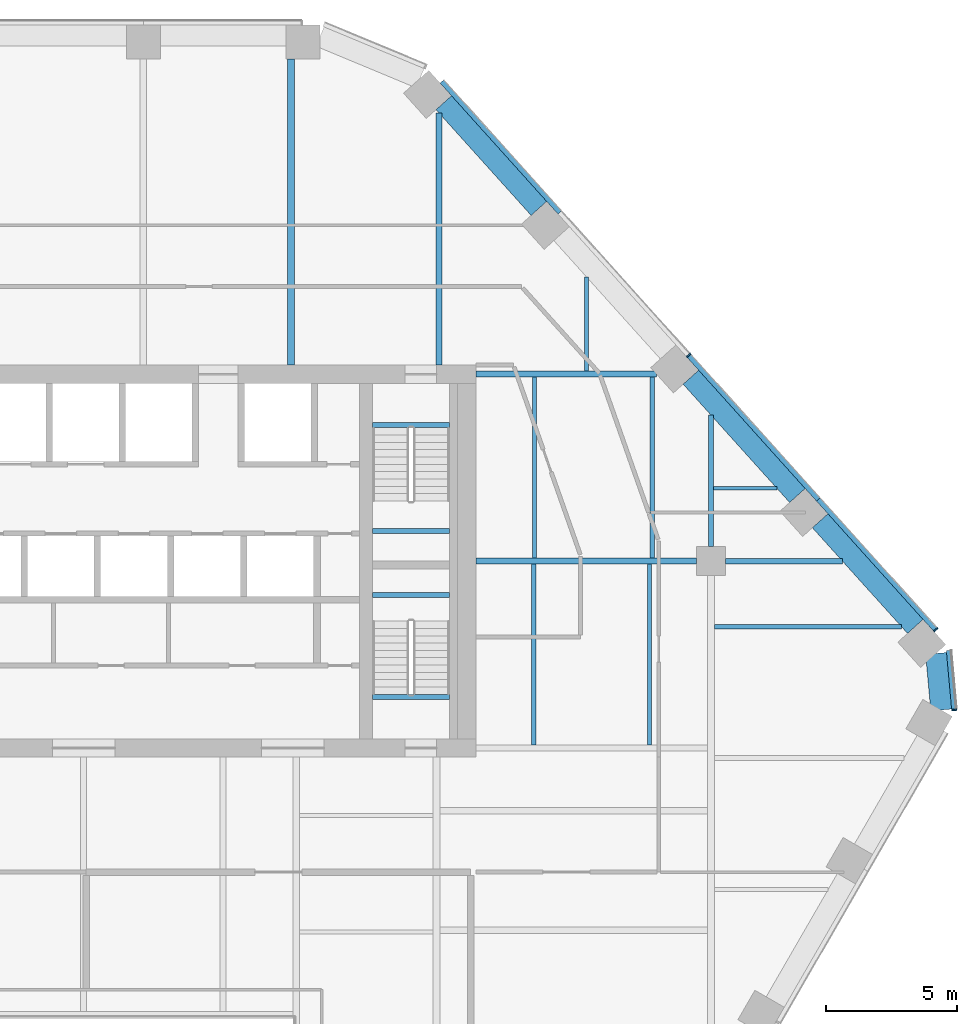
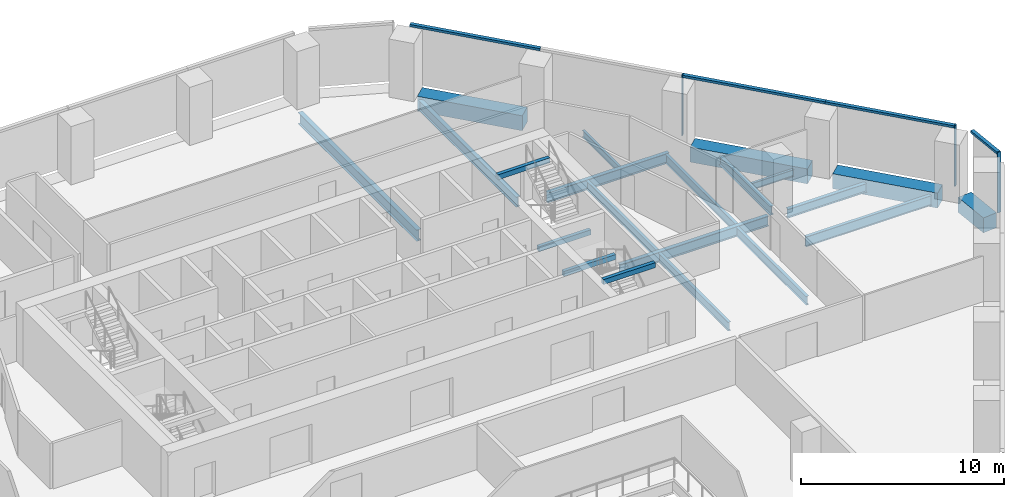
# One storey, part 8 of 16: 21 beams, 7 members, 2 elements without a shape of their own.
"""IFC4 building model written with IfcOpenShell, lengths in metres."""

import ifcopenshell
import ifcopenshell.guid

model = None  # the IFC model being written
_history = None  # IfcOwnerHistory: only IFC2X3 demands one
_inside = {}  # id of a spatial element -> (the spatial element, [elements in it])
_under = {}  # id of a project, library or spatial element -> (it, [spatial elements below it])
_declared = {}  # id of a project -> (the project, [libraries it declares])
_typed = {}  # id of a type object -> (the type object, [elements of that type])
_made_of = {}  # id of a material, layer set ... -> (it, [elements and type objects made of it])


def new_model(schema):
    """Start an empty IFC model of exactly this schema.

    Asked for "IFC4X3", IfcOpenShell would pick the latest addendum, in which some entities
    have other attributes; the version numbers below select the first issue.
    IFC2X3 requires an IfcOwnerHistory on every rooted entity: one is made here for all.
    """
    global model, _history
    if schema == "IFC4X3":
        model = ifcopenshell.file(schema_version=(4, 3, 0, 0))
    else:
        model = ifcopenshell.file(schema=schema)
    _inside.clear()
    _under.clear()
    _declared.clear()
    _typed.clear()
    _made_of.clear()
    _history = None
    if model.schema == "IFC2X3":
        org = make("IfcOrganization", Name="unknown")
        user = make(
            "IfcPersonAndOrganization",
            ThePerson=make("IfcPerson", FamilyName="unknown"),
            TheOrganization=org,
        )
        app = make(
            "IfcApplication",
            ApplicationDeveloper=org,
            Version="unknown",
            ApplicationFullName="unknown",
            ApplicationIdentifier="unknown",
        )
        _history = make(
            "IfcOwnerHistory",
            OwningUser=user,
            OwningApplication=app,
            ChangeAction="ADDED",
            CreationDate=0,
        )
    return model


def make(cls, **values):
    """One entity of the class cls with the attributes given. An attribute that is None is left unset."""
    return model.create_entity(
        cls, **{name: value for name, value in values.items() if value is not None}
    )


def rooted(cls, **values):
    """An entity with a GlobalId (a new one), such as an element, a storey or a relation."""
    return make(cls, GlobalId=ifcopenshell.guid.new(), OwnerHistory=_history, **values)


def si_unit(unit_type, name, prefix=None):
    """IfcSIUnit, for example si_unit("LENGTHUNIT", "METRE", prefix="MILLI")."""
    return make("IfcSIUnit", UnitType=unit_type, Prefix=prefix, Name=name)


def assignment(units):
    """IfcUnitAssignment: the units of a project."""
    return None if units is None else make("IfcUnitAssignment", Units=units)


def point(xyz):
    """IfcCartesianPoint."""
    return None if xyz is None else make("IfcCartesianPoint", Coordinates=xyz)


def direction(xyz):
    """IfcDirection."""
    return None if xyz is None else make("IfcDirection", DirectionRatios=xyz)


def frame(location, z_axis=None, x_axis=None):
    """IfcAxis2Placement3D, a coordinate frame: its origin and axes. An axis left out is left unset."""
    return make(
        "IfcAxis2Placement3D",
        Location=point(location),
        Axis=direction(z_axis),
        RefDirection=direction(x_axis),
    )


def frame_2d(location, x_axis=None):
    """IfcAxis2Placement2D, a coordinate frame in the plane: its origin and x axis."""
    return make(
        "IfcAxis2Placement2D", Location=point(location), RefDirection=direction(x_axis)
    )


def origin():
    """The frame at (0, 0, 0) with its axes left unset."""
    return frame((0.0, 0.0, 0.0))


def origin_2d():
    """The frame at (0, 0) in the plane with its x axis left unset."""
    return frame_2d((0.0, 0.0))


def place(relative_to, where):
    """IfcLocalPlacement: puts the frame where relative to a parent placement (None: the world)."""
    return make(
        "IfcLocalPlacement", PlacementRelTo=relative_to, RelativePlacement=where
    )


def context(
    kind, dimensions, precision=None, world=None, true_north=None, identifier=None
):
    """IfcGeometricRepresentationContext, for example the 3D "Model" context."""
    return make(
        "IfcGeometricRepresentationContext",
        ContextIdentifier=identifier,
        ContextType=kind,
        CoordinateSpaceDimension=dimensions,
        Precision=precision,
        WorldCoordinateSystem=world,
        TrueNorth=true_north,
    )


def subcontext(parent, identifier, kind, view, scale=None):
    """IfcGeometricRepresentationSubContext, for example "Body" below "Model"."""
    return make(
        "IfcGeometricRepresentationSubContext",
        ContextIdentifier=identifier,
        ContextType=kind,
        ParentContext=parent,
        TargetScale=scale,
        TargetView=view,
    )


def project(units=None, contexts=None):
    """IfcProject with its units and contexts."""
    return rooted(
        "IfcProject",
        Name="project",
        RepresentationContexts=contexts,
        UnitsInContext=assignment(units),
    )


def spatial(cls, under=None, at=None, **own):
    """A site, building, storey or space (cls), placed at a placement, below another one or the project."""
    s = rooted(cls, ObjectPlacement=at, **own)
    if under is not None:
        _under.setdefault(under.id(), (under, []))[1].append(s)
    return s


def profile(cls, at=None, kind="AREA", **sizes):
    """A parametric profile (cls). Its sizes go by their IFC names, for example OverallWidth=200.0."""
    return make(cls, ProfileType=kind, Position=at, **sizes)


def rectangle(**sizes):
    """IfcRectangleProfileDef."""
    return profile("IfcRectangleProfileDef", **sizes)


def i_section(**sizes):
    """IfcIShapeProfileDef."""
    return profile("IfcIShapeProfileDef", **sizes)


def extrude(swept, where, along, depth):
    """IfcExtrudedAreaSolid: the profile swept, set in the frame where, extruded along a direction by depth."""
    return make(
        "IfcExtrudedAreaSolid",
        SweptArea=swept,
        Position=where,
        ExtrudedDirection=direction(along),
        Depth=depth,
    )


def shape(context_of_items, identifier, shape_type, items):
    """IfcShapeRepresentation: the items that make up one representation, for example the "Body"."""
    return make(
        "IfcShapeRepresentation",
        ContextOfItems=context_of_items,
        RepresentationIdentifier=identifier,
        RepresentationType=shape_type,
        Items=items,
    )


def material(Name=None, Category=None):
    """IfcMaterial."""
    return make("IfcMaterial", Name=Name, Category=Category)


def layer(
    of_material, thickness, ventilated=None, Name=None, Category=None, Priority=None
):
    """IfcMaterialLayer: one layer of a wall or slab, of a material (None: an air gap)."""
    return make(
        "IfcMaterialLayer",
        Material=of_material,
        LayerThickness=thickness,
        IsVentilated=ventilated,
        Name=Name,
        Category=Category,
        Priority=Priority,
    )


def layer_set(layers, Name=None):
    """IfcMaterialLayerSet."""
    return make("IfcMaterialLayerSet", MaterialLayers=layers, LayerSetName=Name)


def material_profile(
    of_material, cross_section, Name=None, Category=None, Priority=None
):
    """IfcMaterialProfile: a cross section and its material."""
    return make(
        "IfcMaterialProfile",
        Name=Name,
        Material=of_material,
        Profile=cross_section,
        Priority=Priority,
        Category=Category,
    )


def profile_set(profiles, Name=None, composite=None):
    """IfcMaterialProfileSet."""
    return make(
        "IfcMaterialProfileSet",
        Name=Name,
        MaterialProfiles=profiles,
        CompositeProfile=composite,
    )


def made_of(thing, what):
    """Note that an element or type object is made of a material, layer set ...; save() writes the relation."""
    if what is not None:
        _made_of.setdefault(what.id(), (what, []))[1].append(thing)
    return thing


def type_object(cls, material=None, **own):
    """A type object (cls), such as IfcWallType, which elements share."""
    return made_of(rooted(cls, **own), material)


def element(
    cls,
    number,
    at=None,
    inside=None,
    cuts=None,
    type_object=None,
    material=None,
    context=None,
    identifier="Body",
    shape_type=None,
    held_by="IfcProductDefinitionShape",
    body=None,
    shapes=None,
    **own,
):
    """One element of the class cls, such as IfcWall. Its Tag is "e" and its number.

    at: its placement. inside: the storey or other place that contains it. cuts: it is an
    opening in that element (IfcRelVoidsElement). A single representation is given by context,
    identifier, shape_type and body (its items); several are given by shapes. held_by: the class
    of the entity that holds the representations. save() writes the other relations.
    """
    e = rooted(cls, Tag="e%d" % number, ObjectPlacement=at, **own)
    if body is not None:
        shapes = [shape(context, identifier, shape_type, body)]
    if shapes is not None:
        e.Representation = make(held_by, Representations=shapes)
    if inside is not None:
        _inside.setdefault(inside.id(), (inside, []))[1].append(e)
    if cuts is not None:
        rooted(
            "IfcRelVoidsElement", RelatingBuildingElement=cuts, RelatedOpeningElement=e
        )
    if type_object is not None:
        _typed.setdefault(type_object.id(), (type_object, []))[1].append(e)
    return made_of(e, material)


def aggregate(whole, parts):
    """IfcRelAggregates: a whole, such as a stair, and the parts it consists of."""
    return rooted("IfcRelAggregates", RelatingObject=whole, RelatedObjects=parts)


def save(model, path):
    """Write the relations noted so far, then the file.

    IfcRelAggregates (storeys below a building ...), IfcRelContainedInSpatialStructure (elements
    in a storey), IfcRelDefinesByType, IfcRelAssociatesMaterial and IfcRelDeclares: one each for
    every whole, place, type object, material and project.
    """
    for whole, parts in _under.values():
        aggregate(whole, parts)
    for where, things in _inside.values():
        rooted(
            "IfcRelContainedInSpatialStructure",
            RelatedElements=things,
            RelatingStructure=where,
        )
    for kind, things in _typed.values():
        rooted("IfcRelDefinesByType", RelatedObjects=things, RelatingType=kind)
    for what, things in _made_of.values():
        rooted("IfcRelAssociatesMaterial", RelatedObjects=things, RelatingMaterial=what)
    for by, libraries in _declared.values():
        rooted("IfcRelDeclares", RelatingContext=by, RelatedDefinitions=libraries)
    model.write(path)


model = new_model("IFC4")

# Units and contexts
model_context = context("Model", 3, precision=1e-05, world=origin(), true_north=direction((0.0, 1.0)))
body_context = subcontext(model_context, "Body", "Model", "MODEL_VIEW")
ifc_project = project(units=[si_unit("LENGTHUNIT", "METRE"), si_unit("AREAUNIT", "SQUARE_METRE"), si_unit("VOLUMEUNIT", "CUBIC_METRE"), si_unit("PLANEANGLEUNIT", "RADIAN"), si_unit("MASSUNIT", "GRAM", prefix="KILO")], contexts=[model_context])

# Site, building, storey
site_placement = place(None, origin())
site = spatial("IfcSite", under=ifc_project, at=site_placement, CompositionType="ELEMENT")
building_placement = place(site_placement, origin())
building = spatial("IfcBuilding", under=site, at=building_placement, Name="Isthmus Gate Tower", CompositionType="ELEMENT")
storey_placement = place(building_placement, frame((0.0, 0.0, 185.39990234375)))
storey = spatial("IfcBuildingStorey", under=building, at=storey_placement, Name="L46", CompositionType="ELEMENT", Elevation=185.39990234375)

# Curtain wall, member
ifc_material_1 = material(Name="Aluminium, pale champagne anodised", Category="aluminium")
ifc_layer = layer(ifc_material_1, 0.199951171875)
ifc_layer_set = layer_set([ifc_layer], Name="CW-1 UNITISED CURTAIN WALL 200 DEEP")
curtain_wall_type = type_object("IfcCurtainWallType", Name="CW-1 UNITISED CURTAIN WALL 200 DEEP", PredefinedType="NOTDEFINED", material=ifc_layer_set)
curtain_wall_1_placement = place(storey_placement, origin())
curtain_wall_1 = element("IfcCurtainWall", 1, at=curtain_wall_1_placement, inside=storey, type_object=curtain_wall_type, Name="CW-1 SE-NE L46", PredefinedType="NOTDEFINED")
ifc_material_2 = material(Name="Aluminium, pale champagne anodised", Category="aluminium")
ifc_material_profile_1 = material_profile(ifc_material_2, rectangle(XDim=0.06005859375, YDim=0.199951171875, at=origin_2d()), Name="60x200")
ifc_profile_set_1 = profile_set([ifc_material_profile_1], Name="Aluminium, pale champagne anodised")
member_type_1 = type_object("IfcMemberType", Name="CW-1 MULLION 60 X 200", PredefinedType="MULLION", material=ifc_profile_set_1)
member_1_placement = place(storey_placement, frame((33.307861328125, 1.804443359375, 0.0), z_axis=(0.0, 0.0, 1.0), x_axis=(-0.089396669717, 0.995996102123, 0.0)))
member_1 = element("IfcMember", 2, at=member_1_placement, type_object=member_type_1, Name="CW-1 mullion", PredefinedType="MULLION", context=body_context, shape_type="SweptSolid", body=[
    extrude(rectangle(XDim=0.06005859375, YDim=0.199951171875, at=origin_2d()), origin(), (0.0, 0.0, 1.0), 3.650146484375),
])

# Curtain wall, members
curtain_wall_2_placement = place(storey_placement, origin())
curtain_wall_2 = element("IfcCurtainWall", 3, at=curtain_wall_2_placement, inside=storey, type_object=curtain_wall_type, Name="CW-1 NE L46", PredefinedType="NOTDEFINED")
member_2_placement = place(storey_placement, frame((32.602783203125, 4.871337890625, 0.0), z_axis=(0.0, 0.0, 1.0), x_axis=(-0.669130606359, 0.743144825477, 0.0)))
member_2 = element("IfcMember", 4, at=member_2_placement, type_object=member_type_1, Name="CW-1 mullion", PredefinedType="MULLION", context=body_context, shape_type="SweptSolid", body=[
    extrude(rectangle(XDim=0.06005859375, YDim=0.199951171875, at=origin_2d()), origin(), (0.0, 0.0, 1.0), 3.650146484375),
])
member_3_placement = place(storey_placement, frame((23.14697265625, 15.373046875, 0.0), z_axis=(0.0, 0.0, 1.0), x_axis=(-0.669130606359, 0.743144825477, 0.0)))
member_3 = element("IfcMember", 5, at=member_3_placement, type_object=member_type_1, Name="CW-1 mullion", PredefinedType="MULLION", context=body_context, shape_type="SweptSolid", body=[
    extrude(rectangle(XDim=0.06005859375, YDim=0.199951171875, at=origin_2d()), origin(), (0.0, 0.0, 1.0), 3.650146484375),
])

# Member
ifc_material_3 = material(Name="Aluminium, pale champagne anodised", Category="aluminium")
ifc_material_profile_2 = material_profile(ifc_material_3, rectangle(XDim=0.199951171875, YDim=0.139892578125, at=origin_2d()), Name="200x140")
ifc_profile_set_2 = profile_set([ifc_material_profile_2], Name="Aluminium, pale champagne anodised")
member_type_2 = type_object("IfcMemberType", Name="CW-1 TRANSOM 200 X 140", PredefinedType="USERDEFINED", material=ifc_profile_set_2)
member_4_placement = place(storey_placement, frame((33.30517578125, 1.83447265625, 3.580078125), z_axis=(-0.089395362867, 0.995996219419, 0.0), x_axis=(-0.995996219419, -0.089395362867, 0.0)))
member_4 = element("IfcMember", 6, at=member_4_placement, type_object=member_type_2, Name="CW-1 transom", ObjectType="TRANSOM", PredefinedType="USERDEFINED", context=body_context, shape_type="SweptSolid", body=[
    extrude(rectangle(XDim=0.199951171875, YDim=0.139892578125, at=origin_2d()), origin(), (0.0, 0.0, 1.0), 2.258544921875),
])

aggregate(curtain_wall_1, [member_1, member_4])

member_5_placement = place(storey_placement, frame((32.582763671875, 4.8935546875, 3.580078125), z_axis=(-0.669138342957, 0.74313785934, 0.0), x_axis=(-0.74313785934, -0.669138342957, 0.0)))
member_5 = element("IfcMember", 7, at=member_5_placement, type_object=member_type_2, Name="CW-1 transom", ObjectType="TRANSOM", PredefinedType="USERDEFINED", context=body_context, shape_type="SweptSolid", body=[
    extrude(rectangle(XDim=0.199951171875, YDim=0.139892578125, at=origin_2d()), origin(), (0.0, 0.0, 1.0), 6.680908203125),
])

member_6_placement = place(storey_placement, frame((28.1123046875, 9.8583984375, 3.580078125), z_axis=(-0.669123495435, 0.74315122812, 0.0), x_axis=(-0.74315122812, -0.669123495435, 0.0)))
member_6 = element("IfcMember", 8, at=member_6_placement, type_object=member_type_2, Name="CW-1 transom", ObjectType="TRANSOM", PredefinedType="USERDEFINED", context=body_context, shape_type="SweptSolid", body=[
    extrude(rectangle(XDim=0.199951171875, YDim=0.139892578125, at=origin_2d()), origin(), (0.0, 0.0, 1.0), 7.390625),
])

member_7_placement = place(storey_placement, frame((18.221435546875, 20.84326171875, 3.580078125), z_axis=(-0.669102791064, 0.743169869538, 0.0), x_axis=(-0.743169869538, -0.669102791064, 0.0)))
member_7 = element("IfcMember", 9, at=member_7_placement, type_object=member_type_2, Name="CW-1 transom", ObjectType="TRANSOM", PredefinedType="USERDEFINED", context=body_context, shape_type="SweptSolid", body=[
    extrude(rectangle(XDim=0.199951171875, YDim=0.139892578125, at=origin_2d()), origin(), (0.0, 0.0, 1.0), 6.74072265625),
])

aggregate(curtain_wall_2, [member_2, member_5, member_6, member_3, member_7])

# Beams
ifc_material_4 = material(Name="Concrete f'c 60 MPa", Category="concrete")
ifc_material_profile_3 = material_profile(ifc_material_4, rectangle(XDim=0.800048828125, YDim=0.89990234375, at=origin_2d()), Name="RC 800X900")
ifc_profile_set_3 = profile_set([ifc_material_profile_3], Name="Concrete f'c 60 MPa")
beam_type_1 = type_object("IfcBeamType", Name="RC SPANDREL 800 X 900", PredefinedType="SPANDREL", material=ifc_profile_set_3)
beam_1_placement = place(storey_placement, frame((13.7744140625, 25.03515625, -0.449951171875), z_axis=(0.669118419563, -0.743155798337, 0.0), x_axis=(0.743155798337, 0.669118419563, 0.0)))
element("IfcBeam", 10, at=beam_1_placement, inside=storey, type_object=beam_type_1, Name="str-spandrel-L46-01", PredefinedType="SPANDREL", context=body_context, shape_type="SweptSolid", body=[
    extrude(rectangle(XDim=0.800048828125, YDim=0.89990234375, at=origin_2d()), origin(), (0.0, 0.0, 1.0), 5.44091796875),
])
beam_2_placement = place(storey_placement, frame((23.230224609375, 14.533203125, -0.449951171875), z_axis=(0.669141874065, -0.743134679835, 0.0), x_axis=(0.743134679835, 0.669141874065, 0.0)))
element("IfcBeam", 11, at=beam_2_placement, inside=storey, type_object=beam_type_1, Name="str-spandrel-L46-03", PredefinedType="SPANDREL", context=body_context, shape_type="SweptSolid", body=[
    extrude(rectangle(XDim=0.800048828125, YDim=0.89990234375, at=origin_2d()), origin(), (0.0, 0.0, 1.0), 6.0908203125),
])
beam_3_placement = place(storey_placement, frame((28.17578125, 9.040771484375, -0.449951171875), z_axis=(0.669140732593, -0.74313570765, 0.0), x_axis=(0.74313570765, 0.669140732593, 0.0)))
element("IfcBeam", 12, at=beam_3_placement, inside=storey, type_object=beam_type_1, Name="str-spandrel-L46-04", PredefinedType="SPANDREL", context=body_context, shape_type="SweptSolid", body=[
    extrude(rectangle(XDim=0.800048828125, YDim=0.89990234375, at=origin_2d()), origin(), (0.0, 0.0, 1.0), 5.440673828125),
])
beam_4_placement = place(storey_placement, frame((32.61181640625, 3.964599609375, -0.449951171875), z_axis=(0.089421511639, -0.995993872098, 0.0), x_axis=(0.995993872098, 0.089421511639, 0.0)))
element("IfcBeam", 13, at=beam_4_placement, inside=storey, type_object=beam_type_1, Name="str-spandrel-L46-05", PredefinedType="SPANDREL", context=body_context, shape_type="SweptSolid", body=[
    extrude(rectangle(XDim=0.800048828125, YDim=0.89990234375, at=origin_2d()), origin(), (0.0, 0.0, 1.0), 2.17333984375),
])
ifc_material_5 = material(Name="Concrete f'c 40 MPa", Category="concrete")
ifc_material_profile_4 = material_profile(ifc_material_5, rectangle(XDim=0.199951171875, YDim=0.300048828125, at=origin_2d()), Name="STAIR LANDING BEAM RC 200 X 300")
ifc_profile_set_4 = profile_set([ifc_material_profile_4], Name="Concrete f'c 40 MPa")
beam_type_2 = type_object("IfcBeamType", Name="STAIR LANDING BEAM RC 200 X 300", PredefinedType="BEAM", material=ifc_profile_set_4)
for number, where, z_axis, x_axis, name in (
    (14, (11.050048828125, 8.64990234375, 1.47509765625), (1.0, 0.0, 0.0), (0.0, 1.0, 0.0), "L46 ST2 landing beam 1"),
    (15, (11.050048828125, 12.7001953125, 3.35009765625), (1.0, 0.0, 0.0), (0.0, 1.0, 0.0), "L46 ST2 floor-edge seat beam"),
    (16, (11.050048828125, 6.199951171875, 1.47509765625), (1.0, 0.0, 0.0), (0.0, 1.0, 0.0), "L46 ST8 landing beam 1"),
    (17, (11.050048828125, 2.2998046875, 3.35009765625), (1.0, 0.0, 0.0), (0.0, 1.0, 0.0), "L46 ST8 floor-edge seat beam"),
):
    element("IfcBeam", number, at=place(storey_placement, frame(where, z_axis=z_axis, x_axis=x_axis)), inside=storey, type_object=beam_type_2, Name=name, PredefinedType="BEAM", context=body_context, shape_type="SweptSolid", body=[
        extrude(rectangle(XDim=0.199951171875, YDim=0.300048828125, at=origin_2d()), origin(), (0.0, 0.0, 1.0), 2.949951171875),
    ])
ifc_material_6 = material(Name="Structural steel ASTM A992 Gr 50", Category="steel")
ifc_material_profile_5 = material_profile(ifc_material_6, i_section(OverallWidth=0.1396484375, OverallDepth=0.4033203125, WebThickness=0.00634765625, FlangeThickness=0.010986328125, at=origin_2d()), Name="W16X31")
ifc_profile_set_5 = profile_set([ifc_material_profile_5], Name="Structural steel ASTM A992 Gr 50")
beam_type_3 = type_object("IfcBeamType", Name="STEEL FLOOR BEAM W16X31", PredefinedType="JOIST", material=ifc_profile_set_5)
beam_5_placement = place(storey_placement, frame((19.23681640625, 14.764404296875, -0.3515625), z_axis=(0.0, 1.0, 0.0), x_axis=(-1.0, 0.0, 0.0)))
element("IfcBeam", 18, at=beam_5_placement, inside=storey, type_object=beam_type_3, Name="str-beam-L46-05-07", PredefinedType="JOIST", context=body_context, shape_type="SweptSolid", body=[
    extrude(i_section(OverallWidth=0.1396484375, OverallDepth=0.4033203125, WebThickness=0.00634765625, FlangeThickness=0.010986328125, at=origin_2d()), origin(), (0.0, 0.0, 1.0), 3.6064453125),
])
beam_6_placement = place(storey_placement, frame((24.104736328125, 10.284423828125, -0.3515625), z_axis=(1.0, 0.0, 0.0), x_axis=(0.0, 1.0, 0.0)))
element("IfcBeam", 19, at=beam_6_placement, inside=storey, type_object=beam_type_3, Name="str-beam-L46-15-00", PredefinedType="JOIST", context=body_context, shape_type="SweptSolid", body=[
    extrude(i_section(OverallWidth=0.1396484375, OverallDepth=0.4033203125, WebThickness=0.00634765625, FlangeThickness=0.010986328125, at=origin_2d()), origin(), (0.0, 0.0, 1.0), 2.412841796875),
])
ifc_material_7 = material(Name="Structural steel ASTM A992 Gr 50", Category="steel")
ifc_material_profile_6 = material_profile(ifc_material_7, i_section(OverallWidth=0.1650390625, OverallDepth=0.52392578125, WebThickness=0.009521484375, FlangeThickness=0.010986328125, at=origin_2d()), Name="W21X44")
ifc_profile_set_6 = profile_set([ifc_material_profile_6], Name="Structural steel ASTM A992 Gr 50")
beam_type_4 = type_object("IfcBeamType", Name="STEEL FLOOR BEAM W21X44", PredefinedType="JOIST", material=ifc_profile_set_6)
for number, where, z_axis, x_axis, name in (
    (20, (17.25, 7.6142578125, -0.411865234375), (0.0, 1.0, 0.0), (-1.0, 0.0, 0.0), "str-beam-L46-13-00"),
    (21, (21.75, 7.6142578125, -0.411865234375), (0.0, 1.0, 0.0), (-1.0, 0.0, 0.0), "str-beam-L46-13-01"),
    (22, (17.216552734375, 0.46435546875, -0.411865234375), (0.0, 1.0, 0.0), (-1.0, 0.0, 0.0), "str-beam-L46-14-00"),
    (23, (21.64990234375, 0.46435546875, -0.411865234375), (0.0, 1.0, 0.0), (-1.0, 0.0, 0.0), "str-beam-L46-14-01"),
):
    element("IfcBeam", number, at=place(storey_placement, frame(where, z_axis=z_axis, x_axis=x_axis)), inside=storey, type_object=beam_type_4, Name=name, PredefinedType="JOIST", context=body_context, shape_type="SweptSolid", body=[
        extrude(i_section(OverallWidth=0.1650390625, OverallDepth=0.52392578125, WebThickness=0.009521484375, FlangeThickness=0.010986328125, at=origin_2d()), origin(), (0.0, 0.0, 1.0), 6.92138671875),
    ])
ifc_material_8 = material(Name="Structural steel ASTM A992 Gr 50", Category="steel")
ifc_material_profile_7 = material_profile(ifc_material_8, i_section(OverallWidth=0.177734375, OverallDepth=0.60009765625, WebThickness=0.009521484375, FlangeThickness=0.0126953125, at=origin_2d()), Name="W24X55")
ifc_profile_set_7 = profile_set([ifc_material_profile_7], Name="Structural steel ASTM A992 Gr 50")
beam_type_5 = type_object("IfcBeamType", Name="STEEL FLOOR BEAM W24X55", PredefinedType="JOIST", material=ifc_profile_set_7)
beam_7_placement = place(storey_placement, frame((24.13330078125, 4.987548828125, -0.449951171875), z_axis=(1.0, 0.0, 0.0), x_axis=(0.0, 1.0, 0.0)))
element("IfcBeam", 24, at=beam_7_placement, inside=storey, type_object=beam_type_5, Name="str-beam-L46-16-02", PredefinedType="JOIST", context=body_context, shape_type="SweptSolid", body=[
    extrude(i_section(OverallWidth=0.177734375, OverallDepth=0.60009765625, WebThickness=0.009521484375, FlangeThickness=0.0126953125, at=origin_2d()), origin(), (0.0, 0.0, 1.0), 7.15380859375),
])
ifc_material_9 = material(Name="Structural steel ASTM A992 Gr 50", Category="steel")
ifc_material_profile_8 = material_profile(ifc_material_9, i_section(OverallWidth=0.228515625, OverallDepth=0.603271484375, WebThickness=0.010986328125, FlangeThickness=0.014404296875, at=origin_2d()), Name="W24X68")
ifc_profile_set_8 = profile_set([ifc_material_profile_8], Name="Structural steel ASTM A992 Gr 50")
beam_type_6 = type_object("IfcBeamType", Name="STEEL FLOOR BEAM W24X68", PredefinedType="JOIST", material=ifc_profile_set_8)
beam_8_placement = place(storey_placement, frame((13.583984375, 15.0, -0.451416015625), z_axis=(0.0, 1.0, 0.0), x_axis=(-1.0, 0.0, 0.0)))
element("IfcBeam", 25, at=beam_8_placement, inside=storey, type_object=beam_type_6, Name="str-beam-L46-05-06", PredefinedType="JOIST", context=body_context, shape_type="SweptSolid", body=[
    extrude(i_section(OverallWidth=0.228515625, OverallDepth=0.603271484375, WebThickness=0.010986328125, FlangeThickness=0.014404296875, at=origin_2d()), origin(), (0.0, 0.0, 1.0), 9.648681640625),
])
ifc_material_10 = material(Name="Structural steel ASTM A992 Gr 50", Category="steel")
ifc_material_profile_9 = material_profile(ifc_material_10, i_section(OverallWidth=0.25390625, OverallDepth=0.679443359375, WebThickness=0.010986328125, FlangeThickness=0.015869140625, at=origin_2d()), Name="W27X84")
ifc_profile_set_9 = profile_set([ifc_material_profile_9], Name="Structural steel ASTM A992 Gr 50")
beam_type_7 = type_object("IfcBeamType", Name="STEEL FLOOR BEAM W27X84", PredefinedType="JOIST", material=ifc_profile_set_9)
beam_9_placement = place(storey_placement, frame((7.93115234375, 15.0, -0.489501953125), z_axis=(0.0, 1.0, 0.0), x_axis=(-1.0, 0.0, 0.0)))
element("IfcBeam", 26, at=beam_9_placement, inside=storey, type_object=beam_type_7, Name="str-beam-L46-05-05", PredefinedType="JOIST", context=body_context, shape_type="SweptSolid", body=[
    extrude(i_section(OverallWidth=0.25390625, OverallDepth=0.679443359375, WebThickness=0.010986328125, FlangeThickness=0.015869140625, at=origin_2d()), origin(), (0.0, 0.0, 1.0), 11.699951171875),
])
ifc_material_11 = material(Name="Structural steel ASTM A992 Gr 50", Category="steel")
ifc_material_profile_10 = material_profile(ifc_material_11, i_section(OverallWidth=0.20947265625, OverallDepth=0.533447265625, WebThickness=0.009521484375, FlangeThickness=0.015869140625, at=origin_2d()), Name="W21X62")
ifc_profile_set_10 = profile_set([ifc_material_profile_10], Name="Structural steel ASTM A992 Gr 50")
beam_type_8 = type_object("IfcBeamType", Name="STEEL GIRDER W21X62", PredefinedType="BEAM", material=ifc_profile_set_10)
beam_10_placement = place(storey_placement, frame((24.550048828125, 7.5, -0.41650390625), z_axis=(1.0, 0.0, 0.0), x_axis=(0.0, 1.0, 0.0)))
element("IfcBeam", 27, at=beam_10_placement, inside=storey, type_object=beam_type_8, Name="str-girder-L46-06", PredefinedType="BEAM", context=body_context, shape_type="SweptSolid", body=[
    extrude(i_section(OverallWidth=0.20947265625, OverallDepth=0.533447265625, WebThickness=0.009521484375, FlangeThickness=0.015869140625, at=origin_2d()), origin(), (0.0, 0.0, 1.0), 4.474853515625),
])
beam_11_placement = place(storey_placement, frame((24.0, 8.050048828125, -0.41650390625), z_axis=(0.0, 1.0, 0.0), x_axis=(-1.0, 0.0, 0.0)))
element("IfcBeam", 28, at=beam_11_placement, inside=storey, type_object=beam_type_8, Name="str-girder-L46-12", PredefinedType="BEAM", context=body_context, shape_type="SweptSolid", body=[
    extrude(i_section(OverallWidth=0.20947265625, OverallDepth=0.533447265625, WebThickness=0.009521484375, FlangeThickness=0.015869140625, at=origin_2d()), origin(), (0.0, 0.0, 1.0), 5.030517578125),
])
ifc_material_12 = material(Name="Structural steel ASTM A992 Gr 50", Category="steel")
ifc_material_profile_11 = material_profile(ifc_material_12, i_section(OverallWidth=0.228515625, OverallDepth=0.603271484375, WebThickness=0.010986328125, FlangeThickness=0.014404296875, at=origin_2d()), Name="W24X68")
ifc_profile_set_11 = profile_set([ifc_material_profile_11], Name="Structural steel ASTM A992 Gr 50")
beam_type_9 = type_object("IfcBeamType", Name="STEEL GIRDER W24X68", PredefinedType="BEAM", material=ifc_profile_set_11)
beam_12_placement = place(storey_placement, frame((15.0, 14.64990234375, -0.451416015625), z_axis=(1.0, 0.0, 0.0), x_axis=(0.0, 1.0, 0.0)))
element("IfcBeam", 29, at=beam_12_placement, inside=storey, type_object=beam_type_9, Name="str-girder-L46-16", PredefinedType="BEAM", context=body_context, shape_type="SweptSolid", body=[
    extrude(i_section(OverallWidth=0.228515625, OverallDepth=0.603271484375, WebThickness=0.010986328125, FlangeThickness=0.014404296875, at=origin_2d()), origin(), (0.0, 0.0, 1.0), 6.9140625),
])
ifc_material_13 = material(Name="Structural steel ASTM A992 Gr 50", Category="steel")
ifc_material_profile_12 = material_profile(ifc_material_13, i_section(OverallWidth=0.228515625, OverallDepth=0.6064453125, WebThickness=0.010986328125, FlangeThickness=0.017578125, at=origin_2d()), Name="W24X76")
ifc_profile_set_12 = profile_set([ifc_material_profile_12], Name="Structural steel ASTM A992 Gr 50")
beam_type_10 = type_object("IfcBeamType", Name="STEEL GIRDER W24X76", PredefinedType="BEAM", material=ifc_profile_set_12)
beam_13_placement = place(storey_placement, frame((15.0, 7.5, -0.453125), z_axis=(1.0, 0.0, 0.0), x_axis=(0.0, 1.0, 0.0)))
element("IfcBeam", 30, at=beam_13_placement, inside=storey, type_object=beam_type_10, Name="str-girder-L46-05", PredefinedType="BEAM", context=body_context, shape_type="SweptSolid", body=[
    extrude(i_section(OverallWidth=0.228515625, OverallDepth=0.6064453125, WebThickness=0.010986328125, FlangeThickness=0.017578125, at=origin_2d()), origin(), (0.0, 0.0, 1.0), 8.449951171875),
])

save(model, "model.ifc")
